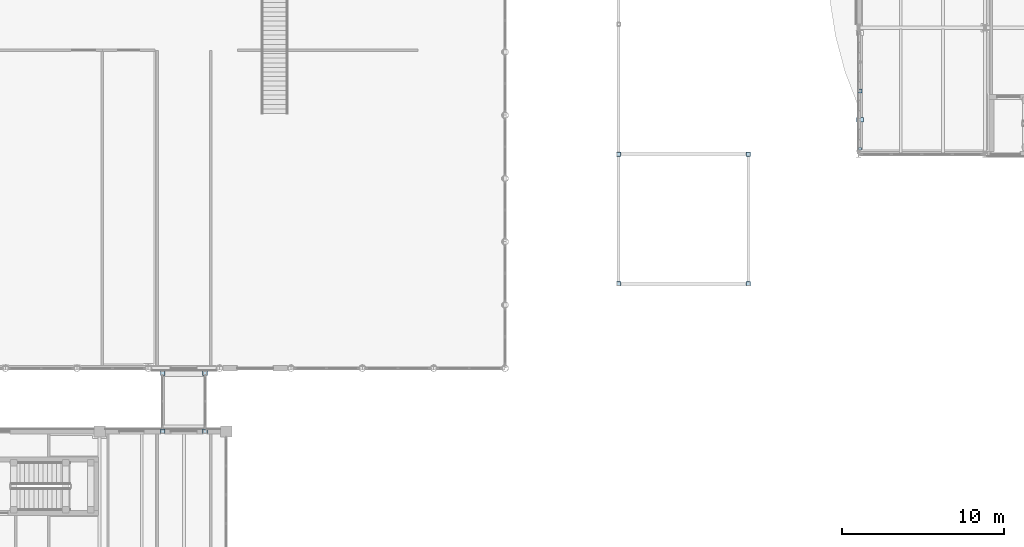
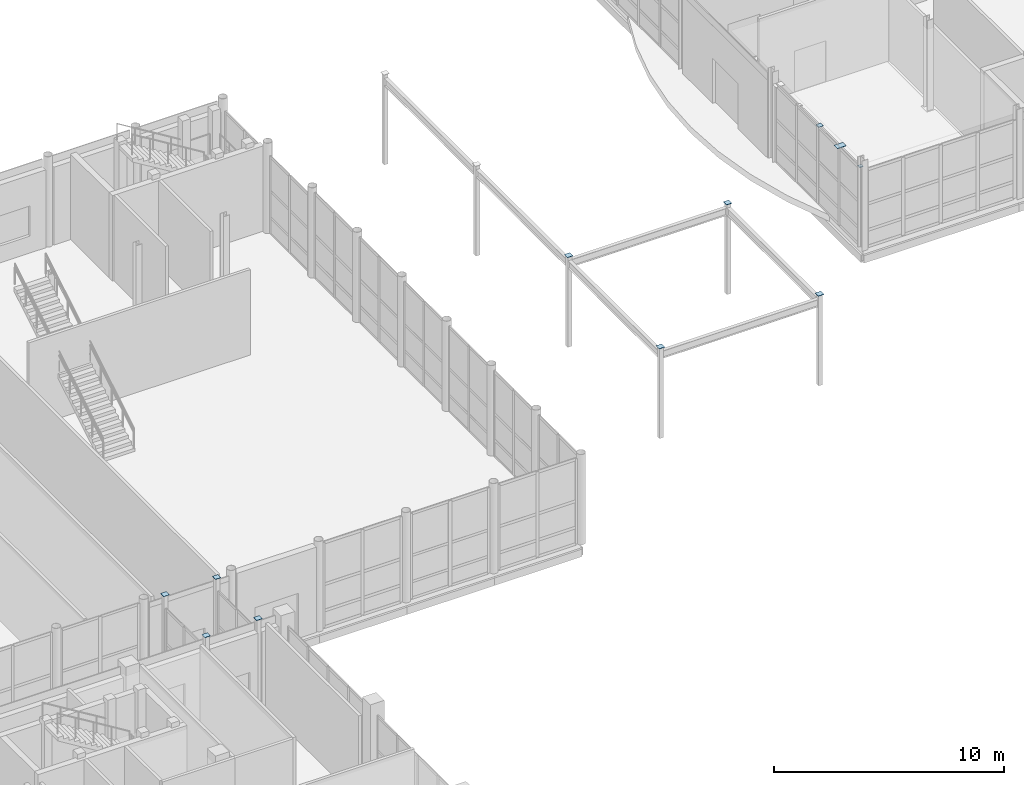
# One storey, part 86 of 131: 11 plates.
"""IFC4 building model written with IfcOpenShell, lengths in metres."""

from ifc_helpers import new_model, si_unit, direction, frame, origin, origin_2d, place, context, subcontext, project, spatial, rectangle, extrude, material, layer, layer_set, type_object, element, save


model = new_model("IFC4")

# Units and contexts
model_context = context("Model", 3, precision=1e-05, world=origin(), true_north=direction((0.0, 1.0)))
body_context = subcontext(model_context, "Body", "Model", "MODEL_VIEW")
ifc_project = project(units=[si_unit("LENGTHUNIT", "METRE"), si_unit("AREAUNIT", "SQUARE_METRE"), si_unit("VOLUMEUNIT", "CUBIC_METRE"), si_unit("PLANEANGLEUNIT", "RADIAN"), si_unit("MASSUNIT", "GRAM", prefix="KILO")], contexts=[model_context])

# Site, building, storey
site_placement = place(None, origin())
site = spatial("IfcSite", under=ifc_project, at=site_placement, CompositionType="ELEMENT")
building_placement = place(site_placement, origin())
building = spatial("IfcBuilding", under=site, at=building_placement, Name="Celorna Specialist Clinic", CompositionType="ELEMENT")
storey_placement = place(building_placement, origin())
storey = spatial("IfcBuildingStorey", under=building, at=storey_placement, Name="L00", CompositionType="ELEMENT", Elevation=0.0)

# Plates
ifc_material = material(Name="Steel S355", Category="steel")
ifc_layer_1 = layer(ifc_material, 0.013916015625, Name="Steel S355")
ifc_layer_set_1 = layer_set([ifc_layer_1], Name="Steel S355")
plate_type_1 = type_object("IfcPlateType", Name="EP-05", PredefinedType="SHEET", material=ifc_layer_set_1)
for number, where, z_axis, x_axis, name in (
    (1, (81.89990234375, 42.89990234375, 4.800048828125), (0.0, 0.0, 1.0), (1.0, 0.0, 0.0), "Hollow column cap plate COL-L00-CT-15-8190-4290"),
    (2, (84.5, 42.89990234375, 4.800048828125), (0.0, 0.0, 1.0), (1.0, 0.0, 0.0), "Hollow column cap plate COL-L00-CT-15-8450-4290"),
    (3, (81.89990234375, 46.5, 4.800048828125), (0.0, 0.0, 1.0), (1.0, 0.0, 0.0), "Hollow column cap plate COL-L00-CT-15-8190-4650"),
    (4, (84.5, 46.5, 4.800048828125), (0.0, 0.0, 1.0), (1.0, 0.0, 0.0), "Hollow column cap plate COL-L00-CT-15-8450-4650"),
    (5, (110.0, 52.0, 4.800048828125), (0.0, 0.0, 1.0), (1.0, 0.0, 0.0), "Garden column cap plate #1"),
    (6, (110.0, 60.0, 4.800048828125), (0.0, 0.0, 1.0), (1.0, 0.0, 0.0), "Garden column cap plate #2"),
    (7, (118.0, 52.0, 4.800048828125), (0.0, 0.0, 1.0), (1.0, 0.0, 0.0), "Garden column cap plate #5"),
    (8, (118.0, 60.0, 4.800048828125), (0.0, 0.0, 1.0), (1.0, 0.0, 0.0), "Garden column cap plate #6"),
):
    element("IfcPlate", number, at=place(storey_placement, frame(where, z_axis=z_axis, x_axis=x_axis)), inside=storey, type_object=plate_type_1, Name=name, PredefinedType="SHEET", context=body_context, shape_type="SweptSolid", body=[
        extrude(rectangle(XDim=0.280029296875, YDim=0.280029296875, at=origin_2d()), origin(), (0.0, 0.0, 1.0), 0.01611328125),
    ])
ifc_layer_2 = layer(ifc_material, 0.011962890625, Name="Steel S355")
ifc_layer_set_2 = layer_set([ifc_layer_2], Name="Steel S355")
plate_type_2 = type_object("IfcPlateType", Name="EP-06", PredefinedType="SHEET", material=ifc_layer_set_2)
plate_1_placement = place(storey_placement, frame((124.8798828125, 60.3349609375, 4.14013671875), z_axis=(0.0, 0.0, 1.0), x_axis=(0.0, 1.0, 0.0)))
element("IfcPlate", 9, at=plate_1_placement, inside=storey, type_object=plate_type_2, Name="Screen post cap plate EP-06 #1857", PredefinedType="SHEET", context=body_context, shape_type="SweptSolid", body=[
    extrude(rectangle(XDim=0.179931640625, YDim=0.179931640625, at=origin_2d()), origin(), (0.0, 0.0, 1.0), 0.011962890625),
])
ifc_layer_3 = layer(ifc_material, 0.01611328125, Name="Steel S355")
ifc_layer_set_3 = layer_set([ifc_layer_3], Name="Steel S355")
plate_type_3 = type_object("IfcPlateType", Name="EP-07", PredefinedType="SHEET", material=ifc_layer_set_3)
plate_2_placement = place(storey_placement, frame((124.8798828125, 62.117431640625, 4.139892578125), z_axis=(0.0, 0.0, 1.0), x_axis=(0.0, 1.0, 0.0)))
element("IfcPlate", 10, at=plate_2_placement, inside=storey, type_object=plate_type_3, Name="Screen post cap plate EP-07 #1858", PredefinedType="SHEET", context=body_context, shape_type="SweptSolid", body=[
    extrude(rectangle(XDim=0.300048828125, YDim=0.43994140625, at=origin_2d()), origin(), (0.0, 0.0, 1.0), 0.01611328125),
])
ifc_layer_4 = layer(ifc_material, 0.013916015625, Name="Steel S355")
ifc_layer_set_4 = layer_set([ifc_layer_4], Name="Steel S355")
plate_type_4 = type_object("IfcPlateType", Name="EP-08", PredefinedType="SHEET", material=ifc_layer_set_4)
plate_3_placement = place(storey_placement, frame((124.8798828125, 63.89990234375, 4.14013671875), z_axis=(0.0, 0.0, 1.0), x_axis=(0.0, 1.0, 0.0)))
element("IfcPlate", 11, at=plate_3_placement, inside=storey, type_object=plate_type_4, Name="Screen post cap plate EP-08 #1859", PredefinedType="SHEET", context=body_context, shape_type="SweptSolid", body=[
    extrude(rectangle(XDim=0.239990234375, YDim=0.239990234375, at=origin_2d()), origin(), (0.0, 0.0, 1.0), 0.013916015625),
])

save(model, "model.ifc")
